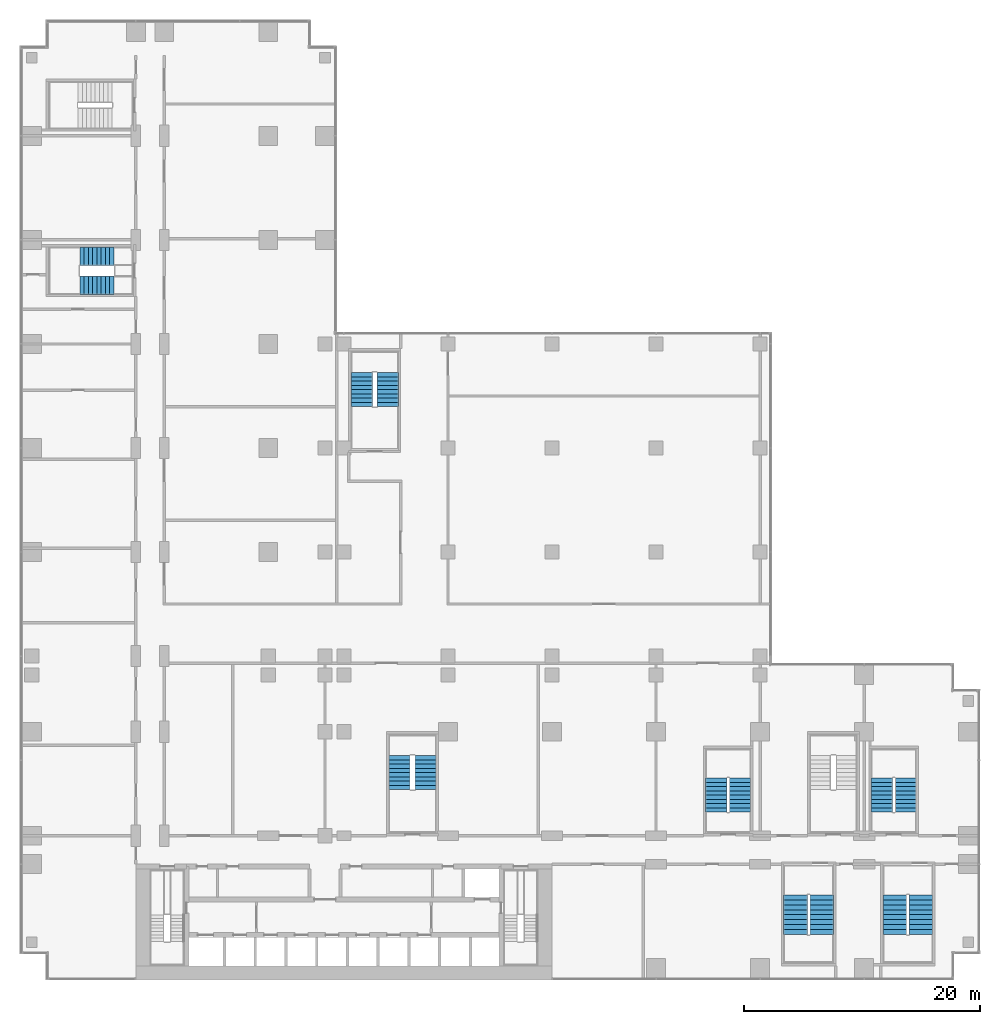
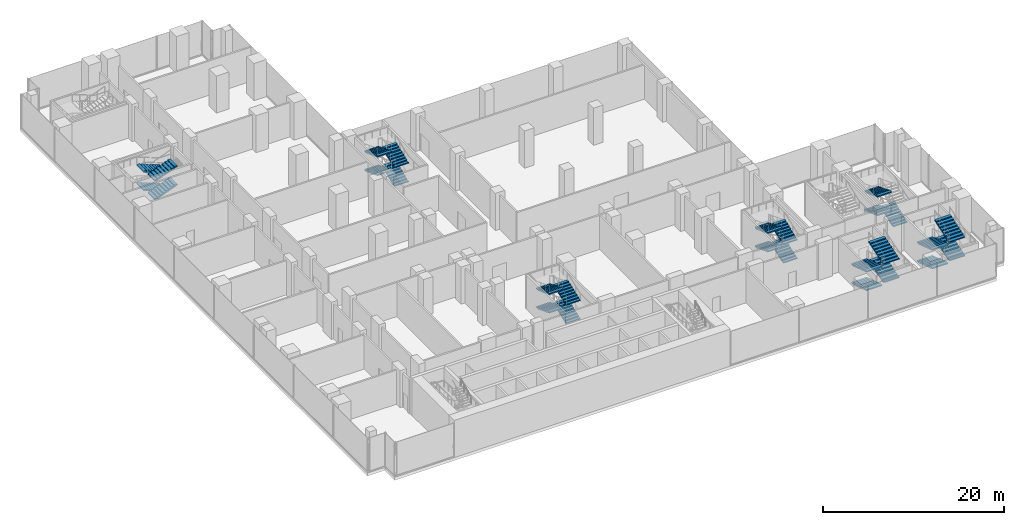
# One storey, part 23 of 30: 27 stair flights, 7 elements without a shape of their own.
"""IFC4 building model written with IfcOpenShell, lengths in metres."""

from ifc_helpers import new_model, si_unit, direction, frame, origin, place, context, subcontext, project, spatial, polyline, outline, extrude, material, type_object, element, aggregate, save


model = new_model("IFC4")

# Units and contexts
model_context = context("Model", 3, precision=1e-05, world=origin(), true_north=direction((0.0, 1.0)))
body_context = subcontext(model_context, "Body", "Model", "MODEL_VIEW")
ifc_project = project(units=[si_unit("LENGTHUNIT", "METRE"), si_unit("AREAUNIT", "SQUARE_METRE"), si_unit("VOLUMEUNIT", "CUBIC_METRE"), si_unit("PLANEANGLEUNIT", "RADIAN"), si_unit("MASSUNIT", "GRAM", prefix="KILO")], contexts=[model_context])

# Site, building, storey
site_placement = place(None, origin())
site = spatial("IfcSite", under=ifc_project, at=site_placement, CompositionType="ELEMENT")
building_placement = place(site_placement, origin())
building = spatial("IfcBuilding", under=site, at=building_placement, Name="Kemantara Hotel Tower", CompositionType="ELEMENT")
storey_placement = place(building_placement, frame((0.0, 0.0, 13.0)))
storey = spatial("IfcBuildingStorey", under=building, at=storey_placement, Name="L02", CompositionType="ELEMENT", Elevation=13.0)

# Stair, stair flights
ifc_material = material(Name="Concrete fc 40 MPa", Category="concrete")
stair_type_1 = type_object("IfcStairType", Name="Stair 1550 wide 36 risers of 139 x 360 mm", PredefinedType="HALF_TURN_STAIR", material=ifc_material)
stair_1_placement = place(storey_placement, origin())
stair_1 = element("IfcStair", 1, at=stair_1_placement, inside=storey, type_object=stair_type_1, Name="L02 Exit stair ST4", PredefinedType="HALF_TURN_STAIR")
stair_flight_type_1 = type_object("IfcStairFlightType", Name="Stair flight 1550 wide 139 x 360 mm", PredefinedType="STRAIGHT", material=ifc_material)
stair_flight_1_placement = place(storey_placement, frame((7.949951171875, 61.22509765625, 0.0), z_axis=(0.0, 0.0, 1.0), x_axis=(-1.0, 0.0, 0.0)))
stair_flight_1 = element("IfcStairFlight", 2, at=stair_flight_1_placement, type_object=stair_flight_type_1, Name="ST4 flight 1", NumberOfRisers=9, NumberOfTreads=8, PredefinedType="STRAIGHT", RiserHeight=0.138888889, TreadLength=0.36, context=body_context, shape_type="SweptSolid", body=[
    extrude(outline(polyline([(0.0, 0.0), (0.0, 0.138916015625), (0.360107421875, 0.138916015625), (0.360107421875, 0.27783203125), (0.719970703125, 0.27783203125), (0.719970703125, 0.416748046875), (1.080078125, 0.416748046875), (1.080078125, 0.5556640625), (1.43994140625, 0.5556640625), (1.43994140625, 0.6943359375), (1.800048828125, 0.6943359375), (1.800048828125, 0.833251953125), (2.159912109375, 0.833251953125), (2.159912109375, 0.97216796875), (2.52001953125, 0.97216796875), (2.52001953125, 1.111083984375), (2.8798828125, 1.111083984375), (2.8798828125, 1.25), (2.8798828125, 0.950439453125), (0.41650390625, 0.0), (0.0, 0.0)])), frame((0.0, 0.77490234375, 0.0), z_axis=(0.0, -1.0, 0.0), x_axis=(1.0, 0.0, 0.0)), (0.0, 0.0, 1.0), 1.550048828125),
])
stair_flight_2_placement = place(storey_placement, frame((5.070068359375, 58.77490234375, 1.25), z_axis=(0.0, 0.0, 1.0), x_axis=(1.0, 0.0, 0.0)))
stair_flight_2 = element("IfcStairFlight", 3, at=stair_flight_2_placement, type_object=stair_flight_type_1, Name="ST4 flight 2", NumberOfRisers=9, NumberOfTreads=8, PredefinedType="STRAIGHT", RiserHeight=0.138888889, TreadLength=0.36, context=body_context, shape_type="SweptSolid", body=[
    extrude(outline(polyline([(0.0, 0.0), (0.0, 0.138916015625), (0.360107421875, 0.138916015625), (0.360107421875, 0.27783203125), (0.719970703125, 0.27783203125), (0.719970703125, 0.416748046875), (1.080078125, 0.416748046875), (1.080078125, 0.5556640625), (1.43994140625, 0.5556640625), (1.43994140625, 0.6943359375), (1.800048828125, 0.6943359375), (1.800048828125, 0.833251953125), (2.159912109375, 0.833251953125), (2.159912109375, 0.97216796875), (2.52001953125, 0.97216796875), (2.52001953125, 1.111083984375), (2.8798828125, 1.111083984375), (2.8798828125, 1.25), (2.8798828125, 0.950439453125), (0.41650390625, 0.0), (0.0, 0.0)])), frame((0.0, 0.77490234375, 0.0), z_axis=(0.0, -1.0, 0.0), x_axis=(1.0, 0.0, 0.0)), (0.0, 0.0, 1.0), 1.550048828125),
])
stair_flight_3_placement = place(storey_placement, frame((7.949951171875, 61.22509765625, 2.5), z_axis=(0.0, 0.0, 1.0), x_axis=(-1.0, 0.0, 0.0)))
stair_flight_3 = element("IfcStairFlight", 4, at=stair_flight_3_placement, type_object=stair_flight_type_1, Name="ST4 flight 3", NumberOfRisers=9, NumberOfTreads=8, PredefinedType="STRAIGHT", RiserHeight=0.138888889, TreadLength=0.36, context=body_context, shape_type="SweptSolid", body=[
    extrude(outline(polyline([(0.0, 0.0), (0.0, 0.138916015625), (0.360107421875, 0.138916015625), (0.360107421875, 0.27783203125), (0.719970703125, 0.27783203125), (0.719970703125, 0.416748046875), (1.080078125, 0.416748046875), (1.080078125, 0.5556640625), (1.43994140625, 0.5556640625), (1.43994140625, 0.6943359375), (1.800048828125, 0.6943359375), (1.800048828125, 0.833251953125), (2.159912109375, 0.833251953125), (2.159912109375, 0.97216796875), (2.52001953125, 0.97216796875), (2.52001953125, 1.111083984375), (2.8798828125, 1.111083984375), (2.8798828125, 1.25), (2.8798828125, 0.950439453125), (0.41650390625, 0.0), (0.0, 0.0)])), frame((0.0, 0.77490234375, 0.0), z_axis=(0.0, -1.0, 0.0), x_axis=(1.0, 0.0, 0.0)), (0.0, 0.0, 1.0), 1.550048828125),
])
stair_flight_4_placement = place(storey_placement, frame((5.070068359375, 58.77490234375, 3.75), z_axis=(0.0, 0.0, 1.0), x_axis=(1.0, 0.0, 0.0)))
stair_flight_4 = element("IfcStairFlight", 5, at=stair_flight_4_placement, type_object=stair_flight_type_1, Name="ST4 flight 4", NumberOfRisers=9, NumberOfTreads=8, PredefinedType="STRAIGHT", RiserHeight=0.138888889, TreadLength=0.36, context=body_context, shape_type="SweptSolid", body=[
    extrude(outline(polyline([(0.0, 0.0), (0.0, 0.138916015625), (0.360107421875, 0.138916015625), (0.360107421875, 0.27783203125), (0.719970703125, 0.27783203125), (0.719970703125, 0.416748046875), (1.080078125, 0.416748046875), (1.080078125, 0.5556640625), (1.43994140625, 0.5556640625), (1.43994140625, 0.6943359375), (1.800048828125, 0.6943359375), (1.800048828125, 0.833251953125), (2.159912109375, 0.833251953125), (2.159912109375, 0.97216796875), (2.52001953125, 0.97216796875), (2.52001953125, 1.111083984375), (2.8798828125, 1.111083984375), (2.8798828125, 1.25), (2.8798828125, 0.950439453125), (0.41650390625, 0.0), (0.0, 0.0)])), frame((0.0, 0.77490234375, 0.0), z_axis=(0.0, -1.0, 0.0), x_axis=(1.0, 0.0, 0.0)), (0.0, 0.0, 1.0), 1.550048828125),
])
aggregate(stair_1, [stair_flight_1, stair_flight_2, stair_flight_3, stair_flight_4])

stair_type_2 = type_object("IfcStairType", Name="Stair 1800 wide 36 risers of 139 x 360 mm", PredefinedType="HALF_TURN_STAIR", material=ifc_material)
stair_2_placement = place(storey_placement, origin())
stair_2 = element("IfcStair", 6, at=stair_2_placement, inside=storey, type_object=stair_type_2, Name="L02 Exit stair ST3", PredefinedType="HALF_TURN_STAIR")
stair_flight_type_2 = type_object("IfcStairFlightType", Name="Stair flight 1800 wide 139 x 360 mm", PredefinedType="STRAIGHT", material=ifc_material)
stair_flight_5_placement = place(storey_placement, frame((60.89990234375, 14.199951171875, 0.0), z_axis=(0.0, 0.0, 1.0), x_axis=(0.0, 1.0, 0.0)))
stair_flight_5 = element("IfcStairFlight", 7, at=stair_flight_5_placement, type_object=stair_flight_type_2, Name="ST3 flight 1", NumberOfRisers=9, NumberOfTreads=8, PredefinedType="STRAIGHT", RiserHeight=0.138888889, TreadLength=0.36, context=body_context, shape_type="SweptSolid", body=[
    extrude(outline(polyline([(0.0, 0.0), (0.0, 0.138916015625), (0.360107421875, 0.138916015625), (0.360107421875, 0.27783203125), (0.719970703125, 0.27783203125), (0.719970703125, 0.416748046875), (1.080078125, 0.416748046875), (1.080078125, 0.5556640625), (1.43994140625, 0.5556640625), (1.43994140625, 0.6943359375), (1.800048828125, 0.6943359375), (1.800048828125, 0.833251953125), (2.159912109375, 0.833251953125), (2.159912109375, 0.97216796875), (2.52001953125, 0.97216796875), (2.52001953125, 1.111083984375), (2.8798828125, 1.111083984375), (2.8798828125, 1.25), (2.8798828125, 0.950439453125), (0.41650390625, 0.0), (0.0, 0.0)])), frame((0.0, 0.89990234375, 0.0), z_axis=(0.0, -1.0, 0.0), x_axis=(1.0, 0.0, 0.0)), (0.0, 0.0, 1.0), 1.800048828125),
])
stair_flight_6_placement = place(storey_placement, frame((58.89990234375, 17.080078125, 1.25), z_axis=(0.0, 0.0, 1.0), x_axis=(0.0, -1.0, 0.0)))
stair_flight_6 = element("IfcStairFlight", 8, at=stair_flight_6_placement, type_object=stair_flight_type_2, Name="ST3 flight 2", NumberOfRisers=9, NumberOfTreads=8, PredefinedType="STRAIGHT", RiserHeight=0.138888889, TreadLength=0.36, context=body_context, shape_type="SweptSolid", body=[
    extrude(outline(polyline([(0.0, 0.0), (0.0, 0.138916015625), (0.360107421875, 0.138916015625), (0.360107421875, 0.27783203125), (0.719970703125, 0.27783203125), (0.719970703125, 0.416748046875), (1.080078125, 0.416748046875), (1.080078125, 0.5556640625), (1.43994140625, 0.5556640625), (1.43994140625, 0.6943359375), (1.800048828125, 0.6943359375), (1.800048828125, 0.833251953125), (2.159912109375, 0.833251953125), (2.159912109375, 0.97216796875), (2.52001953125, 0.97216796875), (2.52001953125, 1.111083984375), (2.8798828125, 1.111083984375), (2.8798828125, 1.25), (2.8798828125, 0.950439453125), (0.41650390625, 0.0), (0.0, 0.0)])), frame((0.0, 0.89990234375, 0.0), z_axis=(0.0, -1.0, 0.0), x_axis=(1.0, 0.0, 0.0)), (0.0, 0.0, 1.0), 1.800048828125),
])
stair_flight_7_placement = place(storey_placement, frame((60.89990234375, 14.199951171875, 2.5), z_axis=(0.0, 0.0, 1.0), x_axis=(0.0, 1.0, 0.0)))
stair_flight_7 = element("IfcStairFlight", 9, at=stair_flight_7_placement, type_object=stair_flight_type_2, Name="ST3 flight 3", NumberOfRisers=9, NumberOfTreads=8, PredefinedType="STRAIGHT", RiserHeight=0.138888889, TreadLength=0.36, context=body_context, shape_type="SweptSolid", body=[
    extrude(outline(polyline([(0.0, 0.0), (0.0, 0.138916015625), (0.360107421875, 0.138916015625), (0.360107421875, 0.27783203125), (0.719970703125, 0.27783203125), (0.719970703125, 0.416748046875), (1.080078125, 0.416748046875), (1.080078125, 0.5556640625), (1.43994140625, 0.5556640625), (1.43994140625, 0.6943359375), (1.800048828125, 0.6943359375), (1.800048828125, 0.833251953125), (2.159912109375, 0.833251953125), (2.159912109375, 0.97216796875), (2.52001953125, 0.97216796875), (2.52001953125, 1.111083984375), (2.8798828125, 1.111083984375), (2.8798828125, 1.25), (2.8798828125, 0.950439453125), (0.41650390625, 0.0), (0.0, 0.0)])), frame((0.0, 0.89990234375, 0.0), z_axis=(0.0, -1.0, 0.0), x_axis=(1.0, 0.0, 0.0)), (0.0, 0.0, 1.0), 1.800048828125),
])
stair_flight_8_placement = place(storey_placement, frame((58.89990234375, 17.080078125, 3.75), z_axis=(0.0, 0.0, 1.0), x_axis=(0.0, -1.0, 0.0)))
stair_flight_8 = element("IfcStairFlight", 10, at=stair_flight_8_placement, type_object=stair_flight_type_2, Name="ST3 flight 4", NumberOfRisers=9, NumberOfTreads=8, PredefinedType="STRAIGHT", RiserHeight=0.138888889, TreadLength=0.36, context=body_context, shape_type="SweptSolid", body=[
    extrude(outline(polyline([(0.0, 0.0), (0.0, 0.138916015625), (0.360107421875, 0.138916015625), (0.360107421875, 0.27783203125), (0.719970703125, 0.27783203125), (0.719970703125, 0.416748046875), (1.080078125, 0.416748046875), (1.080078125, 0.5556640625), (1.43994140625, 0.5556640625), (1.43994140625, 0.6943359375), (1.800048828125, 0.6943359375), (1.800048828125, 0.833251953125), (2.159912109375, 0.833251953125), (2.159912109375, 0.97216796875), (2.52001953125, 0.97216796875), (2.52001953125, 1.111083984375), (2.8798828125, 1.111083984375), (2.8798828125, 1.25), (2.8798828125, 0.950439453125), (0.41650390625, 0.0), (0.0, 0.0)])), frame((0.0, 0.89990234375, 0.0), z_axis=(0.0, -1.0, 0.0), x_axis=(1.0, 0.0, 0.0)), (0.0, 0.0, 1.0), 1.800048828125),
])
aggregate(stair_2, [stair_flight_5, stair_flight_6, stair_flight_7, stair_flight_8])

stair_3_placement = place(storey_placement, origin())
stair_3 = element("IfcStair", 11, at=stair_3_placement, inside=storey, type_object=stair_type_2, Name="L02 Exit stair ST5", PredefinedType="HALF_TURN_STAIR")
stair_flight_9_placement = place(storey_placement, frame((74.89990234375, 14.199951171875, 0.0), z_axis=(0.0, 0.0, 1.0), x_axis=(0.0, 1.0, 0.0)))
stair_flight_9 = element("IfcStairFlight", 12, at=stair_flight_9_placement, type_object=stair_flight_type_2, Name="ST5 flight 1", NumberOfRisers=9, NumberOfTreads=8, PredefinedType="STRAIGHT", RiserHeight=0.138888889, TreadLength=0.36, context=body_context, shape_type="SweptSolid", body=[
    extrude(outline(polyline([(0.0, 0.0), (0.0, 0.138916015625), (0.360107421875, 0.138916015625), (0.360107421875, 0.27783203125), (0.719970703125, 0.27783203125), (0.719970703125, 0.416748046875), (1.080078125, 0.416748046875), (1.080078125, 0.5556640625), (1.43994140625, 0.5556640625), (1.43994140625, 0.6943359375), (1.800048828125, 0.6943359375), (1.800048828125, 0.833251953125), (2.159912109375, 0.833251953125), (2.159912109375, 0.97216796875), (2.52001953125, 0.97216796875), (2.52001953125, 1.111083984375), (2.8798828125, 1.111083984375), (2.8798828125, 1.25), (2.8798828125, 0.950439453125), (0.41650390625, 0.0), (0.0, 0.0)])), frame((0.0, 0.89990234375, 0.0), z_axis=(0.0, -1.0, 0.0), x_axis=(1.0, 0.0, 0.0)), (0.0, 0.0, 1.0), 1.800048828125),
])
stair_flight_10_placement = place(storey_placement, frame((72.89990234375, 17.080078125, 1.25), z_axis=(0.0, 0.0, 1.0), x_axis=(0.0, -1.0, 0.0)))
stair_flight_10 = element("IfcStairFlight", 13, at=stair_flight_10_placement, type_object=stair_flight_type_2, Name="ST5 flight 2", NumberOfRisers=9, NumberOfTreads=8, PredefinedType="STRAIGHT", RiserHeight=0.138888889, TreadLength=0.36, context=body_context, shape_type="SweptSolid", body=[
    extrude(outline(polyline([(0.0, 0.0), (0.0, 0.138916015625), (0.360107421875, 0.138916015625), (0.360107421875, 0.27783203125), (0.719970703125, 0.27783203125), (0.719970703125, 0.416748046875), (1.080078125, 0.416748046875), (1.080078125, 0.5556640625), (1.43994140625, 0.5556640625), (1.43994140625, 0.6943359375), (1.800048828125, 0.6943359375), (1.800048828125, 0.833251953125), (2.159912109375, 0.833251953125), (2.159912109375, 0.97216796875), (2.52001953125, 0.97216796875), (2.52001953125, 1.111083984375), (2.8798828125, 1.111083984375), (2.8798828125, 1.25), (2.8798828125, 0.950439453125), (0.41650390625, 0.0), (0.0, 0.0)])), frame((0.0, 0.89990234375, 0.0), z_axis=(0.0, -1.0, 0.0), x_axis=(1.0, 0.0, 0.0)), (0.0, 0.0, 1.0), 1.800048828125),
])
stair_flight_11_placement = place(storey_placement, frame((72.89990234375, 17.080078125, 3.75), z_axis=(0.0, 0.0, 1.0), x_axis=(0.0, -1.0, 0.0)))
stair_flight_11 = element("IfcStairFlight", 14, at=stair_flight_11_placement, type_object=stair_flight_type_2, Name="ST5 flight 4", NumberOfRisers=9, NumberOfTreads=8, PredefinedType="STRAIGHT", RiserHeight=0.138888889, TreadLength=0.36, context=body_context, shape_type="SweptSolid", body=[
    extrude(outline(polyline([(0.0, 0.0), (0.0, 0.138916015625), (0.360107421875, 0.138916015625), (0.360107421875, 0.27783203125), (0.719970703125, 0.27783203125), (0.719970703125, 0.416748046875), (1.080078125, 0.416748046875), (1.080078125, 0.5556640625), (1.43994140625, 0.5556640625), (1.43994140625, 0.6943359375), (1.800048828125, 0.6943359375), (1.800048828125, 0.833251953125), (2.159912109375, 0.833251953125), (2.159912109375, 0.97216796875), (2.52001953125, 0.97216796875), (2.52001953125, 1.111083984375), (2.8798828125, 1.111083984375), (2.8798828125, 1.25), (2.8798828125, 0.950439453125), (0.41650390625, 0.0), (0.0, 0.0)])), frame((0.0, 0.89990234375, 0.0), z_axis=(0.0, -1.0, 0.0), x_axis=(1.0, 0.0, 0.0)), (0.0, 0.0, 1.0), 1.800048828125),
])
aggregate(stair_3, [stair_flight_9, stair_flight_10, stair_flight_11])

stair_4_placement = place(storey_placement, origin())
stair_4 = element("IfcStair", 15, at=stair_4_placement, inside=storey, type_object=stair_type_2, Name="L02 Stair PS2", PredefinedType="HALF_TURN_STAIR")
stair_flight_12_placement = place(storey_placement, frame((31.10009765625, 48.5, 0.0), z_axis=(0.0, 0.0, 1.0), x_axis=(0.0, 1.0, 0.0)))
stair_flight_12 = element("IfcStairFlight", 16, at=stair_flight_12_placement, type_object=stair_flight_type_2, Name="PS2 flight 1", NumberOfRisers=9, NumberOfTreads=8, PredefinedType="STRAIGHT", RiserHeight=0.138888889, TreadLength=0.36, context=body_context, shape_type="SweptSolid", body=[
    extrude(outline(polyline([(0.0, 0.0), (0.0, 0.138916015625), (0.360107421875, 0.138916015625), (0.360107421875, 0.27783203125), (0.719970703125, 0.27783203125), (0.719970703125, 0.416748046875), (1.080078125, 0.416748046875), (1.080078125, 0.5556640625), (1.43994140625, 0.5556640625), (1.43994140625, 0.6943359375), (1.800048828125, 0.6943359375), (1.800048828125, 0.833251953125), (2.159912109375, 0.833251953125), (2.159912109375, 0.97216796875), (2.52001953125, 0.97216796875), (2.52001953125, 1.111083984375), (2.8798828125, 1.111083984375), (2.8798828125, 1.25), (2.8798828125, 0.950439453125), (0.41650390625, 0.0), (0.0, 0.0)])), frame((0.0, 0.89990234375, 0.0), z_axis=(0.0, -1.0, 0.0), x_axis=(1.0, 0.0, 0.0)), (0.0, 0.0, 1.0), 1.800048828125),
])
stair_flight_13_placement = place(storey_placement, frame((28.89990234375, 51.3798828125, 1.25), z_axis=(0.0, 0.0, 1.0), x_axis=(0.0, -1.0, 0.0)))
stair_flight_13 = element("IfcStairFlight", 17, at=stair_flight_13_placement, type_object=stair_flight_type_2, Name="PS2 flight 2", NumberOfRisers=9, NumberOfTreads=8, PredefinedType="STRAIGHT", RiserHeight=0.138888889, TreadLength=0.36, context=body_context, shape_type="SweptSolid", body=[
    extrude(outline(polyline([(0.0, 0.0), (0.0, 0.138916015625), (0.360107421875, 0.138916015625), (0.360107421875, 0.27783203125), (0.719970703125, 0.27783203125), (0.719970703125, 0.416748046875), (1.080078125, 0.416748046875), (1.080078125, 0.5556640625), (1.43994140625, 0.5556640625), (1.43994140625, 0.6943359375), (1.800048828125, 0.6943359375), (1.800048828125, 0.833251953125), (2.159912109375, 0.833251953125), (2.159912109375, 0.97216796875), (2.52001953125, 0.97216796875), (2.52001953125, 1.111083984375), (2.8798828125, 1.111083984375), (2.8798828125, 1.25), (2.8798828125, 0.950439453125), (0.41650390625, 0.0), (0.0, 0.0)])), frame((0.0, 0.89990234375, 0.0), z_axis=(0.0, -1.0, 0.0), x_axis=(1.0, 0.0, 0.0)), (0.0, 0.0, 1.0), 1.800048828125),
])
stair_flight_14_placement = place(storey_placement, frame((31.10009765625, 48.5, 2.5), z_axis=(0.0, 0.0, 1.0), x_axis=(0.0, 1.0, 0.0)))
stair_flight_14 = element("IfcStairFlight", 18, at=stair_flight_14_placement, type_object=stair_flight_type_2, Name="PS2 flight 3", NumberOfRisers=9, NumberOfTreads=8, PredefinedType="STRAIGHT", RiserHeight=0.138888889, TreadLength=0.36, context=body_context, shape_type="SweptSolid", body=[
    extrude(outline(polyline([(0.0, 0.0), (0.0, 0.138916015625), (0.360107421875, 0.138916015625), (0.360107421875, 0.27783203125), (0.719970703125, 0.27783203125), (0.719970703125, 0.416748046875), (1.080078125, 0.416748046875), (1.080078125, 0.5556640625), (1.43994140625, 0.5556640625), (1.43994140625, 0.6943359375), (1.800048828125, 0.6943359375), (1.800048828125, 0.833251953125), (2.159912109375, 0.833251953125), (2.159912109375, 0.97216796875), (2.52001953125, 0.97216796875), (2.52001953125, 1.111083984375), (2.8798828125, 1.111083984375), (2.8798828125, 1.25), (2.8798828125, 0.950439453125), (0.41650390625, 0.0), (0.0, 0.0)])), frame((0.0, 0.89990234375, 0.0), z_axis=(0.0, -1.0, 0.0), x_axis=(1.0, 0.0, 0.0)), (0.0, 0.0, 1.0), 1.800048828125),
])
stair_flight_15_placement = place(storey_placement, frame((28.89990234375, 51.3798828125, 3.75), z_axis=(0.0, 0.0, 1.0), x_axis=(0.0, -1.0, 0.0)))
stair_flight_15 = element("IfcStairFlight", 19, at=stair_flight_15_placement, type_object=stair_flight_type_2, Name="PS2 flight 4", NumberOfRisers=9, NumberOfTreads=8, PredefinedType="STRAIGHT", RiserHeight=0.138888889, TreadLength=0.36, context=body_context, shape_type="SweptSolid", body=[
    extrude(outline(polyline([(0.0, 0.0), (0.0, 0.138916015625), (0.360107421875, 0.138916015625), (0.360107421875, 0.27783203125), (0.719970703125, 0.27783203125), (0.719970703125, 0.416748046875), (1.080078125, 0.416748046875), (1.080078125, 0.5556640625), (1.43994140625, 0.5556640625), (1.43994140625, 0.6943359375), (1.800048828125, 0.6943359375), (1.800048828125, 0.833251953125), (2.159912109375, 0.833251953125), (2.159912109375, 0.97216796875), (2.52001953125, 0.97216796875), (2.52001953125, 1.111083984375), (2.8798828125, 1.111083984375), (2.8798828125, 1.25), (2.8798828125, 0.950439453125), (0.41650390625, 0.0), (0.0, 0.0)])), frame((0.0, 0.89990234375, 0.0), z_axis=(0.0, -1.0, 0.0), x_axis=(1.0, 0.0, 0.0)), (0.0, 0.0, 1.0), 1.800048828125),
])
aggregate(stair_4, [stair_flight_12, stair_flight_13, stair_flight_14, stair_flight_15])

stair_5_placement = place(storey_placement, origin())
stair_5 = element("IfcStair", 20, at=stair_5_placement, inside=storey, type_object=stair_type_2, Name="L02 Stair PS3", PredefinedType="HALF_TURN_STAIR")
stair_flight_16_placement = place(storey_placement, frame((34.300048828125, 16.10009765625, 0.0), z_axis=(0.0, 0.0, 1.0), x_axis=(0.0, 1.0, 0.0)))
stair_flight_16 = element("IfcStairFlight", 21, at=stair_flight_16_placement, type_object=stair_flight_type_2, Name="PS3 flight 1", NumberOfRisers=9, NumberOfTreads=8, PredefinedType="STRAIGHT", RiserHeight=0.138888889, TreadLength=0.36, context=body_context, shape_type="SweptSolid", body=[
    extrude(outline(polyline([(0.0, 0.0), (0.0, 0.138916015625), (0.360107421875, 0.138916015625), (0.360107421875, 0.27783203125), (0.719970703125, 0.27783203125), (0.719970703125, 0.416748046875), (1.080078125, 0.416748046875), (1.080078125, 0.5556640625), (1.43994140625, 0.5556640625), (1.43994140625, 0.6943359375), (1.800048828125, 0.6943359375), (1.800048828125, 0.833251953125), (2.159912109375, 0.833251953125), (2.159912109375, 0.97216796875), (2.52001953125, 0.97216796875), (2.52001953125, 1.111083984375), (2.8798828125, 1.111083984375), (2.8798828125, 1.25), (2.8798828125, 0.950439453125), (0.41650390625, 0.0), (0.0, 0.0)])), frame((0.0, 0.89990234375, 0.0), z_axis=(0.0, -1.0, 0.0), x_axis=(1.0, 0.0, 0.0)), (0.0, 0.0, 1.0), 1.800048828125),
])
stair_flight_17_placement = place(storey_placement, frame((32.10009765625, 18.97998046875, 1.25), z_axis=(0.0, 0.0, 1.0), x_axis=(0.0, -1.0, 0.0)))
stair_flight_17 = element("IfcStairFlight", 22, at=stair_flight_17_placement, type_object=stair_flight_type_2, Name="PS3 flight 2", NumberOfRisers=9, NumberOfTreads=8, PredefinedType="STRAIGHT", RiserHeight=0.138888889, TreadLength=0.36, context=body_context, shape_type="SweptSolid", body=[
    extrude(outline(polyline([(0.0, 0.0), (0.0, 0.138916015625), (0.360107421875, 0.138916015625), (0.360107421875, 0.27783203125), (0.719970703125, 0.27783203125), (0.719970703125, 0.416748046875), (1.080078125, 0.416748046875), (1.080078125, 0.5556640625), (1.43994140625, 0.5556640625), (1.43994140625, 0.6943359375), (1.800048828125, 0.6943359375), (1.800048828125, 0.833251953125), (2.159912109375, 0.833251953125), (2.159912109375, 0.97216796875), (2.52001953125, 0.97216796875), (2.52001953125, 1.111083984375), (2.8798828125, 1.111083984375), (2.8798828125, 1.25), (2.8798828125, 0.950439453125), (0.41650390625, 0.0), (0.0, 0.0)])), frame((0.0, 0.89990234375, 0.0), z_axis=(0.0, -1.0, 0.0), x_axis=(1.0, 0.0, 0.0)), (0.0, 0.0, 1.0), 1.800048828125),
])
stair_flight_18_placement = place(storey_placement, frame((34.300048828125, 16.10009765625, 2.5), z_axis=(0.0, 0.0, 1.0), x_axis=(0.0, 1.0, 0.0)))
stair_flight_18 = element("IfcStairFlight", 23, at=stair_flight_18_placement, type_object=stair_flight_type_2, Name="PS3 flight 3", NumberOfRisers=9, NumberOfTreads=8, PredefinedType="STRAIGHT", RiserHeight=0.138888889, TreadLength=0.36, context=body_context, shape_type="SweptSolid", body=[
    extrude(outline(polyline([(0.0, 0.0), (0.0, 0.138916015625), (0.360107421875, 0.138916015625), (0.360107421875, 0.27783203125), (0.719970703125, 0.27783203125), (0.719970703125, 0.416748046875), (1.080078125, 0.416748046875), (1.080078125, 0.5556640625), (1.43994140625, 0.5556640625), (1.43994140625, 0.6943359375), (1.800048828125, 0.6943359375), (1.800048828125, 0.833251953125), (2.159912109375, 0.833251953125), (2.159912109375, 0.97216796875), (2.52001953125, 0.97216796875), (2.52001953125, 1.111083984375), (2.8798828125, 1.111083984375), (2.8798828125, 1.25), (2.8798828125, 0.950439453125), (0.41650390625, 0.0), (0.0, 0.0)])), frame((0.0, 0.89990234375, 0.0), z_axis=(0.0, -1.0, 0.0), x_axis=(1.0, 0.0, 0.0)), (0.0, 0.0, 1.0), 1.800048828125),
])
stair_flight_19_placement = place(storey_placement, frame((32.10009765625, 18.97998046875, 3.75), z_axis=(0.0, 0.0, 1.0), x_axis=(0.0, -1.0, 0.0)))
stair_flight_19 = element("IfcStairFlight", 24, at=stair_flight_19_placement, type_object=stair_flight_type_2, Name="PS3 flight 4", NumberOfRisers=9, NumberOfTreads=8, PredefinedType="STRAIGHT", RiserHeight=0.138888889, TreadLength=0.36, context=body_context, shape_type="SweptSolid", body=[
    extrude(outline(polyline([(0.0, 0.0), (0.0, 0.138916015625), (0.360107421875, 0.138916015625), (0.360107421875, 0.27783203125), (0.719970703125, 0.27783203125), (0.719970703125, 0.416748046875), (1.080078125, 0.416748046875), (1.080078125, 0.5556640625), (1.43994140625, 0.5556640625), (1.43994140625, 0.6943359375), (1.800048828125, 0.6943359375), (1.800048828125, 0.833251953125), (2.159912109375, 0.833251953125), (2.159912109375, 0.97216796875), (2.52001953125, 0.97216796875), (2.52001953125, 1.111083984375), (2.8798828125, 1.111083984375), (2.8798828125, 1.25), (2.8798828125, 0.950439453125), (0.41650390625, 0.0), (0.0, 0.0)])), frame((0.0, 0.89990234375, 0.0), z_axis=(0.0, -1.0, 0.0), x_axis=(1.0, 0.0, 0.0)), (0.0, 0.0, 1.0), 1.800048828125),
])
aggregate(stair_5, [stair_flight_16, stair_flight_17, stair_flight_18, stair_flight_19])

stair_type_3 = type_object("IfcStairType", Name="Stair 2000 wide 36 risers of 139 x 420 mm", PredefinedType="HALF_TURN_STAIR", material=ifc_material)
stair_6_placement = place(storey_placement, origin())
stair_6 = element("IfcStair", 25, at=stair_6_placement, inside=storey, type_object=stair_type_3, Name="L02 Stair PS4", PredefinedType="HALF_TURN_STAIR")
stair_flight_type_3 = type_object("IfcStairFlightType", Name="Stair flight 2000 wide 139 x 420 mm", PredefinedType="STRAIGHT", material=ifc_material)
stair_flight_20_placement = place(storey_placement, frame((65.60009765625, 7.199951171875, 0.0), z_axis=(0.0, 0.0, 1.0), x_axis=(0.0, -1.0, 0.0)))
stair_flight_20 = element("IfcStairFlight", 26, at=stair_flight_20_placement, type_object=stair_flight_type_3, Name="PS4 flight 1", NumberOfRisers=9, NumberOfTreads=8, PredefinedType="STRAIGHT", RiserHeight=0.138888889, TreadLength=0.42, context=body_context, shape_type="SweptSolid", body=[
    extrude(outline(polyline([(0.0, 0.0), (0.0, 0.138916015625), (0.419921875, 0.138916015625), (0.419921875, 0.27783203125), (0.840087890625, 0.27783203125), (0.840087890625, 0.416748046875), (1.260009765625, 0.416748046875), (1.260009765625, 0.5556640625), (1.679931640625, 0.5556640625), (1.679931640625, 0.6943359375), (2.10009765625, 0.6943359375), (2.10009765625, 0.833251953125), (2.52001953125, 0.833251953125), (2.52001953125, 0.97216796875), (2.93994140625, 0.97216796875), (2.93994140625, 1.111083984375), (3.360107421875, 1.111083984375), (3.360107421875, 1.25), (3.360107421875, 0.953125), (0.4775390625, 0.0), (0.0, 0.0)])), frame((0.0, 1.0, 0.0), z_axis=(0.0, -1.0, 0.0), x_axis=(1.0, 0.0, 0.0)), (0.0, 0.0, 1.0), 2.0),
])
stair_flight_21_placement = place(storey_placement, frame((67.800048828125, 3.840087890625, 1.25), z_axis=(0.0, 0.0, 1.0), x_axis=(0.0, 1.0, 0.0)))
stair_flight_21 = element("IfcStairFlight", 27, at=stair_flight_21_placement, type_object=stair_flight_type_3, Name="PS4 flight 2", NumberOfRisers=9, NumberOfTreads=8, PredefinedType="STRAIGHT", RiserHeight=0.138888889, TreadLength=0.42, context=body_context, shape_type="SweptSolid", body=[
    extrude(outline(polyline([(0.0, 0.0), (0.0, 0.138916015625), (0.419921875, 0.138916015625), (0.419921875, 0.27783203125), (0.840087890625, 0.27783203125), (0.840087890625, 0.416748046875), (1.260009765625, 0.416748046875), (1.260009765625, 0.5556640625), (1.679931640625, 0.5556640625), (1.679931640625, 0.6943359375), (2.10009765625, 0.6943359375), (2.10009765625, 0.833251953125), (2.52001953125, 0.833251953125), (2.52001953125, 0.97216796875), (2.93994140625, 0.97216796875), (2.93994140625, 1.111083984375), (3.360107421875, 1.111083984375), (3.360107421875, 1.25), (3.360107421875, 0.953125), (0.4775390625, 0.0), (0.0, 0.0)])), frame((0.0, 1.0, 0.0), z_axis=(0.0, -1.0, 0.0), x_axis=(1.0, 0.0, 0.0)), (0.0, 0.0, 1.0), 2.0),
])
stair_flight_22_placement = place(storey_placement, frame((65.60009765625, 7.199951171875, 2.5), z_axis=(0.0, 0.0, 1.0), x_axis=(0.0, -1.0, 0.0)))
stair_flight_22 = element("IfcStairFlight", 28, at=stair_flight_22_placement, type_object=stair_flight_type_3, Name="PS4 flight 3", NumberOfRisers=9, NumberOfTreads=8, PredefinedType="STRAIGHT", RiserHeight=0.138888889, TreadLength=0.42, context=body_context, shape_type="SweptSolid", body=[
    extrude(outline(polyline([(0.0, 0.0), (0.0, 0.138916015625), (0.419921875, 0.138916015625), (0.419921875, 0.27783203125), (0.840087890625, 0.27783203125), (0.840087890625, 0.416748046875), (1.260009765625, 0.416748046875), (1.260009765625, 0.5556640625), (1.679931640625, 0.5556640625), (1.679931640625, 0.6943359375), (2.10009765625, 0.6943359375), (2.10009765625, 0.833251953125), (2.52001953125, 0.833251953125), (2.52001953125, 0.97216796875), (2.93994140625, 0.97216796875), (2.93994140625, 1.111083984375), (3.360107421875, 1.111083984375), (3.360107421875, 1.25), (3.360107421875, 0.953125), (0.4775390625, 0.0), (0.0, 0.0)])), frame((0.0, 1.0, 0.0), z_axis=(0.0, -1.0, 0.0), x_axis=(1.0, 0.0, 0.0)), (0.0, 0.0, 1.0), 2.0),
])
stair_flight_23_placement = place(storey_placement, frame((67.800048828125, 3.840087890625, 3.75), z_axis=(0.0, 0.0, 1.0), x_axis=(0.0, 1.0, 0.0)))
stair_flight_23 = element("IfcStairFlight", 29, at=stair_flight_23_placement, type_object=stair_flight_type_3, Name="PS4 flight 4", NumberOfRisers=9, NumberOfTreads=8, PredefinedType="STRAIGHT", RiserHeight=0.138888889, TreadLength=0.42, context=body_context, shape_type="SweptSolid", body=[
    extrude(outline(polyline([(0.0, 0.0), (0.0, 0.138916015625), (0.419921875, 0.138916015625), (0.419921875, 0.27783203125), (0.840087890625, 0.27783203125), (0.840087890625, 0.416748046875), (1.260009765625, 0.416748046875), (1.260009765625, 0.5556640625), (1.679931640625, 0.5556640625), (1.679931640625, 0.6943359375), (2.10009765625, 0.6943359375), (2.10009765625, 0.833251953125), (2.52001953125, 0.833251953125), (2.52001953125, 0.97216796875), (2.93994140625, 0.97216796875), (2.93994140625, 1.111083984375), (3.360107421875, 1.111083984375), (3.360107421875, 1.25), (3.360107421875, 0.953125), (0.4775390625, 0.0), (0.0, 0.0)])), frame((0.0, 1.0, 0.0), z_axis=(0.0, -1.0, 0.0), x_axis=(1.0, 0.0, 0.0)), (0.0, 0.0, 1.0), 2.0),
])
aggregate(stair_6, [stair_flight_20, stair_flight_21, stair_flight_22, stair_flight_23])

stair_7_placement = place(storey_placement, origin())
stair_7 = element("IfcStair", 30, at=stair_7_placement, inside=storey, type_object=stair_type_3, Name="L02 Stair PS5", PredefinedType="HALF_TURN_STAIR")
stair_flight_24_placement = place(storey_placement, frame((74.0, 7.199951171875, 0.0), z_axis=(0.0, 0.0, 1.0), x_axis=(0.0, -1.0, 0.0)))
stair_flight_24 = element("IfcStairFlight", 31, at=stair_flight_24_placement, type_object=stair_flight_type_3, Name="PS5 flight 1", NumberOfRisers=9, NumberOfTreads=8, PredefinedType="STRAIGHT", RiserHeight=0.138888889, TreadLength=0.42, context=body_context, shape_type="SweptSolid", body=[
    extrude(outline(polyline([(0.0, 0.0), (0.0, 0.138916015625), (0.419921875, 0.138916015625), (0.419921875, 0.27783203125), (0.840087890625, 0.27783203125), (0.840087890625, 0.416748046875), (1.260009765625, 0.416748046875), (1.260009765625, 0.5556640625), (1.679931640625, 0.5556640625), (1.679931640625, 0.6943359375), (2.10009765625, 0.6943359375), (2.10009765625, 0.833251953125), (2.52001953125, 0.833251953125), (2.52001953125, 0.97216796875), (2.93994140625, 0.97216796875), (2.93994140625, 1.111083984375), (3.360107421875, 1.111083984375), (3.360107421875, 1.25), (3.360107421875, 0.953125), (0.4775390625, 0.0), (0.0, 0.0)])), frame((0.0, 1.0, 0.0), z_axis=(0.0, -1.0, 0.0), x_axis=(1.0, 0.0, 0.0)), (0.0, 0.0, 1.0), 2.0),
])
stair_flight_25_placement = place(storey_placement, frame((76.199951171875, 3.840087890625, 1.25), z_axis=(0.0, 0.0, 1.0), x_axis=(0.0, 1.0, 0.0)))
stair_flight_25 = element("IfcStairFlight", 32, at=stair_flight_25_placement, type_object=stair_flight_type_3, Name="PS5 flight 2", NumberOfRisers=9, NumberOfTreads=8, PredefinedType="STRAIGHT", RiserHeight=0.138888889, TreadLength=0.42, context=body_context, shape_type="SweptSolid", body=[
    extrude(outline(polyline([(0.0, 0.0), (0.0, 0.138916015625), (0.419921875, 0.138916015625), (0.419921875, 0.27783203125), (0.840087890625, 0.27783203125), (0.840087890625, 0.416748046875), (1.260009765625, 0.416748046875), (1.260009765625, 0.5556640625), (1.679931640625, 0.5556640625), (1.679931640625, 0.6943359375), (2.10009765625, 0.6943359375), (2.10009765625, 0.833251953125), (2.52001953125, 0.833251953125), (2.52001953125, 0.97216796875), (2.93994140625, 0.97216796875), (2.93994140625, 1.111083984375), (3.360107421875, 1.111083984375), (3.360107421875, 1.25), (3.360107421875, 0.953125), (0.4775390625, 0.0), (0.0, 0.0)])), frame((0.0, 1.0, 0.0), z_axis=(0.0, -1.0, 0.0), x_axis=(1.0, 0.0, 0.0)), (0.0, 0.0, 1.0), 2.0),
])
stair_flight_26_placement = place(storey_placement, frame((74.0, 7.199951171875, 2.5), z_axis=(0.0, 0.0, 1.0), x_axis=(0.0, -1.0, 0.0)))
stair_flight_26 = element("IfcStairFlight", 33, at=stair_flight_26_placement, type_object=stair_flight_type_3, Name="PS5 flight 3", NumberOfRisers=9, NumberOfTreads=8, PredefinedType="STRAIGHT", RiserHeight=0.138888889, TreadLength=0.42, context=body_context, shape_type="SweptSolid", body=[
    extrude(outline(polyline([(0.0, 0.0), (0.0, 0.138916015625), (0.419921875, 0.138916015625), (0.419921875, 0.27783203125), (0.840087890625, 0.27783203125), (0.840087890625, 0.416748046875), (1.260009765625, 0.416748046875), (1.260009765625, 0.5556640625), (1.679931640625, 0.5556640625), (1.679931640625, 0.6943359375), (2.10009765625, 0.6943359375), (2.10009765625, 0.833251953125), (2.52001953125, 0.833251953125), (2.52001953125, 0.97216796875), (2.93994140625, 0.97216796875), (2.93994140625, 1.111083984375), (3.360107421875, 1.111083984375), (3.360107421875, 1.25), (3.360107421875, 0.953125), (0.4775390625, 0.0), (0.0, 0.0)])), frame((0.0, 1.0, 0.0), z_axis=(0.0, -1.0, 0.0), x_axis=(1.0, 0.0, 0.0)), (0.0, 0.0, 1.0), 2.0),
])
stair_flight_27_placement = place(storey_placement, frame((76.199951171875, 3.840087890625, 3.75), z_axis=(0.0, 0.0, 1.0), x_axis=(0.0, 1.0, 0.0)))
stair_flight_27 = element("IfcStairFlight", 34, at=stair_flight_27_placement, type_object=stair_flight_type_3, Name="PS5 flight 4", NumberOfRisers=9, NumberOfTreads=8, PredefinedType="STRAIGHT", RiserHeight=0.138888889, TreadLength=0.42, context=body_context, shape_type="SweptSolid", body=[
    extrude(outline(polyline([(0.0, 0.0), (0.0, 0.138916015625), (0.419921875, 0.138916015625), (0.419921875, 0.27783203125), (0.840087890625, 0.27783203125), (0.840087890625, 0.416748046875), (1.260009765625, 0.416748046875), (1.260009765625, 0.5556640625), (1.679931640625, 0.5556640625), (1.679931640625, 0.6943359375), (2.10009765625, 0.6943359375), (2.10009765625, 0.833251953125), (2.52001953125, 0.833251953125), (2.52001953125, 0.97216796875), (2.93994140625, 0.97216796875), (2.93994140625, 1.111083984375), (3.360107421875, 1.111083984375), (3.360107421875, 1.25), (3.360107421875, 0.953125), (0.4775390625, 0.0), (0.0, 0.0)])), frame((0.0, 1.0, 0.0), z_axis=(0.0, -1.0, 0.0), x_axis=(1.0, 0.0, 0.0)), (0.0, 0.0, 1.0), 2.0),
])
aggregate(stair_7, [stair_flight_24, stair_flight_25, stair_flight_26, stair_flight_27])

save(model, "model.ifc")
